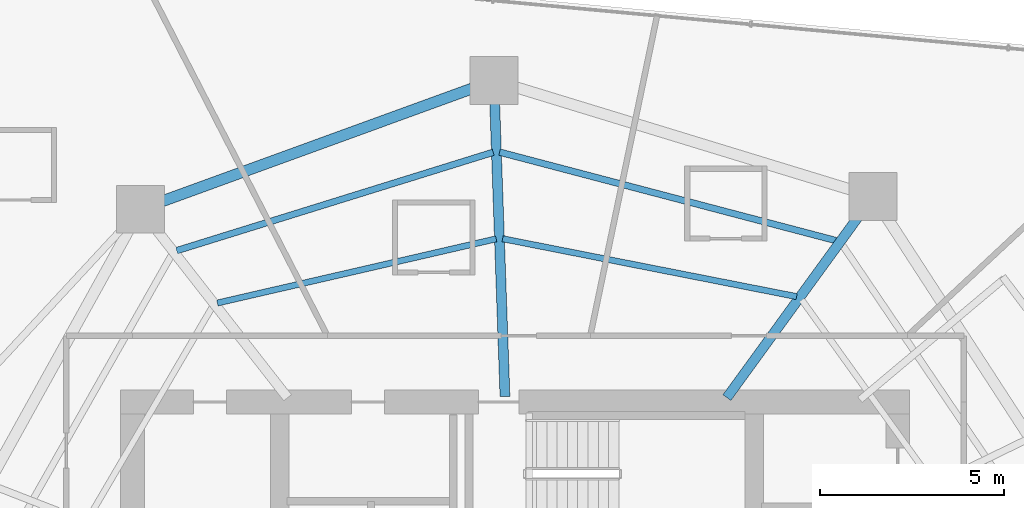
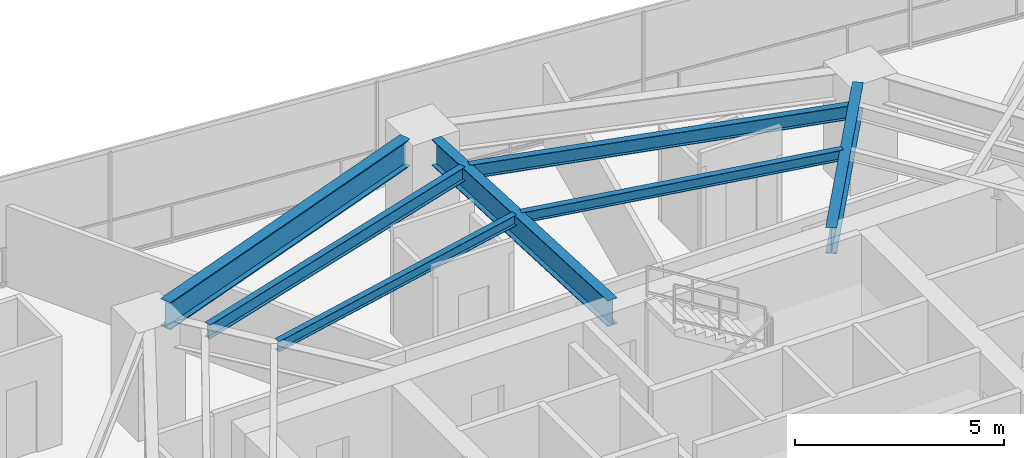
# One storey, part 19 of 30: 7 beams.
"""IFC4 building model written with IfcOpenShell, lengths in metres."""

from ifc_helpers import new_model, si_unit, direction, frame, origin, origin_2d, place, context, subcontext, project, spatial, i_section, extrude, material, material_profile, profile_set, type_object, element, save


model = new_model("IFC4")

# Units and contexts
model_context = context("Model", 3, precision=1e-05, world=origin(), true_north=direction((0.0, 1.0)))
body_context = subcontext(model_context, "Body", "Model", "MODEL_VIEW")
ifc_project = project(units=[si_unit("LENGTHUNIT", "METRE"), si_unit("AREAUNIT", "SQUARE_METRE"), si_unit("VOLUMEUNIT", "CUBIC_METRE"), si_unit("PLANEANGLEUNIT", "RADIAN"), si_unit("MASSUNIT", "GRAM", prefix="KILO")], contexts=[model_context])

# Site, building, storey
site_placement = place(None, origin())
site = spatial("IfcSite", under=ifc_project, at=site_placement, CompositionType="ELEMENT")
building_placement = place(site_placement, origin())
building = spatial("IfcBuilding", under=site, at=building_placement, Name="Qarnah Convention Tower", CompositionType="ELEMENT")
storey_placement = place(building_placement, frame((0.0, 0.0, 47.699951171875)))
storey = spatial("IfcBuildingStorey", under=building, at=storey_placement, Name="L11", CompositionType="ELEMENT", Elevation=47.699951171875)

# Beams
ifc_material = material(Name="Structural steel S355JR", Category="steel")
ifc_material_profile_1 = material_profile(ifc_material, i_section(OverallWidth=0.166015625, OverallDepth=0.31201171875, WebThickness=0.007080078125, FlangeThickness=0.010986328125, at=origin_2d()), Name="W310X45")
ifc_profile_set_1 = profile_set([ifc_material_profile_1], Name="Structural steel S355JR")
beam_type_1 = type_object("IfcBeamType", Name="BM-JST-W310", PredefinedType="JOIST", material=ifc_profile_set_1)
beam_1_placement = place(storey_placement, frame((44.85009765625, 37.06689453125, 3.01416015625), z_axis=(-0.981172206516, 0.193134929933, 0.0), x_axis=(-0.193134929933, -0.981172206516, 0.0)))
element("IfcBeam", 1, at=beam_1_placement, inside=storey, type_object=beam_type_1, Name="L11 joist BM-L11-IJST-02", PredefinedType="JOIST", context=body_context, shape_type="SweptSolid", body=[
    extrude(i_section(OverallWidth=0.166015625, OverallDepth=0.31201171875, WebThickness=0.007080078125, FlangeThickness=0.010986328125, at=origin_2d()), origin(), (0.0, 0.0, 1.0), 8.14453125),
])
beam_2_placement = place(storey_placement, frame((36.68310546875, 38.636962890625, 3.01416015625), z_axis=(-0.97452280151, -0.224288451192, 0.0), x_axis=(0.224288451192, -0.97452280151, 0.0)))
element("IfcBeam", 2, at=beam_2_placement, inside=storey, type_object=beam_type_1, Name="L11 joist BM-L11-IJST-03", PredefinedType="JOIST", context=body_context, shape_type="SweptSolid", body=[
    extrude(i_section(OverallWidth=0.166015625, OverallDepth=0.31201171875, WebThickness=0.007080078125, FlangeThickness=0.010986328125, at=origin_2d()), origin(), (0.0, 0.0, 1.0), 7.775146484375),
])
ifc_material_profile_2 = material_profile(ifc_material, i_section(OverallWidth=0.177978515625, OverallDepth=0.407958984375, WebThickness=0.008056640625, FlangeThickness=0.012939453125, at=origin_2d()), Name="W410X60")
ifc_profile_set_2 = profile_set([ifc_material_profile_2], Name="Structural steel S355JR")
beam_type_2 = type_object("IfcBeamType", Name="BM-JST-W410", PredefinedType="JOIST", material=ifc_profile_set_2)
beam_3_placement = place(storey_placement, frame((45.947998046875, 38.58203125, 2.966064453125), z_axis=(-0.967122537274, 0.254310829294, 0.0), x_axis=(-0.254310829294, -0.967122537274, 0.0)))
element("IfcBeam", 3, at=beam_3_placement, inside=storey, type_object=beam_type_2, Name="L11 joist BM-L11-SJST-02", PredefinedType="JOIST", context=body_context, shape_type="SweptSolid", body=[
    extrude(i_section(OverallWidth=0.177978515625, OverallDepth=0.407958984375, WebThickness=0.008056640625, FlangeThickness=0.012939453125, at=origin_2d()), origin(), (0.0, 0.0, 1.0), 9.48388671875),
])
beam_4_placement = place(storey_placement, frame((36.60302734375, 40.989990234375, 2.966064453125), z_axis=(-0.954952196177, -0.296759672154, 0.0), x_axis=(0.296759672154, -0.954952196177, 0.0)))
element("IfcBeam", 4, at=beam_4_placement, inside=storey, type_object=beam_type_2, Name="L11 joist BM-L11-SJST-03", PredefinedType="JOIST", context=body_context, shape_type="SweptSolid", body=[
    extrude(i_section(OverallWidth=0.177978515625, OverallDepth=0.407958984375, WebThickness=0.008056640625, FlangeThickness=0.012939453125, at=origin_2d()), origin(), (0.0, 0.0, 1.0), 9.010986328125),
])
ifc_material_profile_3 = material_profile(ifc_material, i_section(OverallWidth=0.26806640625, OverallDepth=0.760009765625, WebThickness=0.014892578125, FlangeThickness=0.02197265625, at=origin_2d()), Name="W760X185")
ifc_profile_set_3 = profile_set([ifc_material_profile_3], Name="Structural steel S355JR")
beam_type_3 = type_object("IfcBeamType", Name="BM-RAD-W760", PredefinedType="BEAM", material=ifc_profile_set_3)
beam_5_placement = place(storey_placement, frame((42.955078125, 34.321044921875, 2.7900390625), z_axis=(0.587873224058, 0.808953071837, 0.0), x_axis=(-0.808953071837, 0.587873224058, 0.0)))
element("IfcBeam", 5, at=beam_5_placement, inside=storey, type_object=beam_type_3, Name="L11 beam BM-L11-RAD-02", PredefinedType="BEAM", context=body_context, shape_type="SweptSolid", body=[
    extrude(i_section(OverallWidth=0.26806640625, OverallDepth=0.760009765625, WebThickness=0.014892578125, FlangeThickness=0.02197265625, at=origin_2d()), origin(), (0.0, 0.0, 1.0), 6.12890625),
])
beam_6_placement = place(storey_placement, frame((36.922119140625, 34.35009765625, 2.7900390625), z_axis=(-0.034913066254, 0.999390353068, 0.0), x_axis=(-0.999390353068, -0.034913066254, 0.0)))
element("IfcBeam", 6, at=beam_6_placement, inside=storey, type_object=beam_type_3, Name="L11 beam BM-L11-RAD-03", PredefinedType="BEAM", context=body_context, shape_type="SweptSolid", body=[
    extrude(i_section(OverallWidth=0.26806640625, OverallDepth=0.760009765625, WebThickness=0.014892578125, FlangeThickness=0.02197265625, at=origin_2d()), origin(), (0.0, 0.0, 1.0), 7.96484375),
])
ifc_material_profile_4 = material_profile(ifc_material, i_section(OverallWidth=0.300048828125, OverallDepth=0.800048828125, WebThickness=0.01806640625, FlangeThickness=0.032958984375, at=origin_2d()), Name="HEB800")
ifc_profile_set_4 = profile_set([ifc_material_profile_4], Name="Structural steel S355JR")
beam_type_4 = type_object("IfcBeamType", Name="BM-RING-HEB800", PredefinedType="BEAM", material=ifc_profile_set_4)
beam_7_placement = place(storey_placement, frame((36.02099609375, 42.720947265625, 2.77001953125), z_axis=(-0.939712145037, -0.341966496121, 0.0), x_axis=(0.341966496121, -0.939712145037, 0.0)))
element("IfcBeam", 7, at=beam_7_placement, inside=storey, type_object=beam_type_4, Name="L11 beam BM-L11-SPN-03", PredefinedType="BEAM", context=body_context, shape_type="SweptSolid", body=[
    extrude(i_section(OverallWidth=0.300048828125, OverallDepth=0.800048828125, WebThickness=0.01806640625, FlangeThickness=0.032958984375, at=origin_2d()), origin(), (0.0, 0.0, 1.0), 8.948486328125),
])

save(model, "model.ifc")
